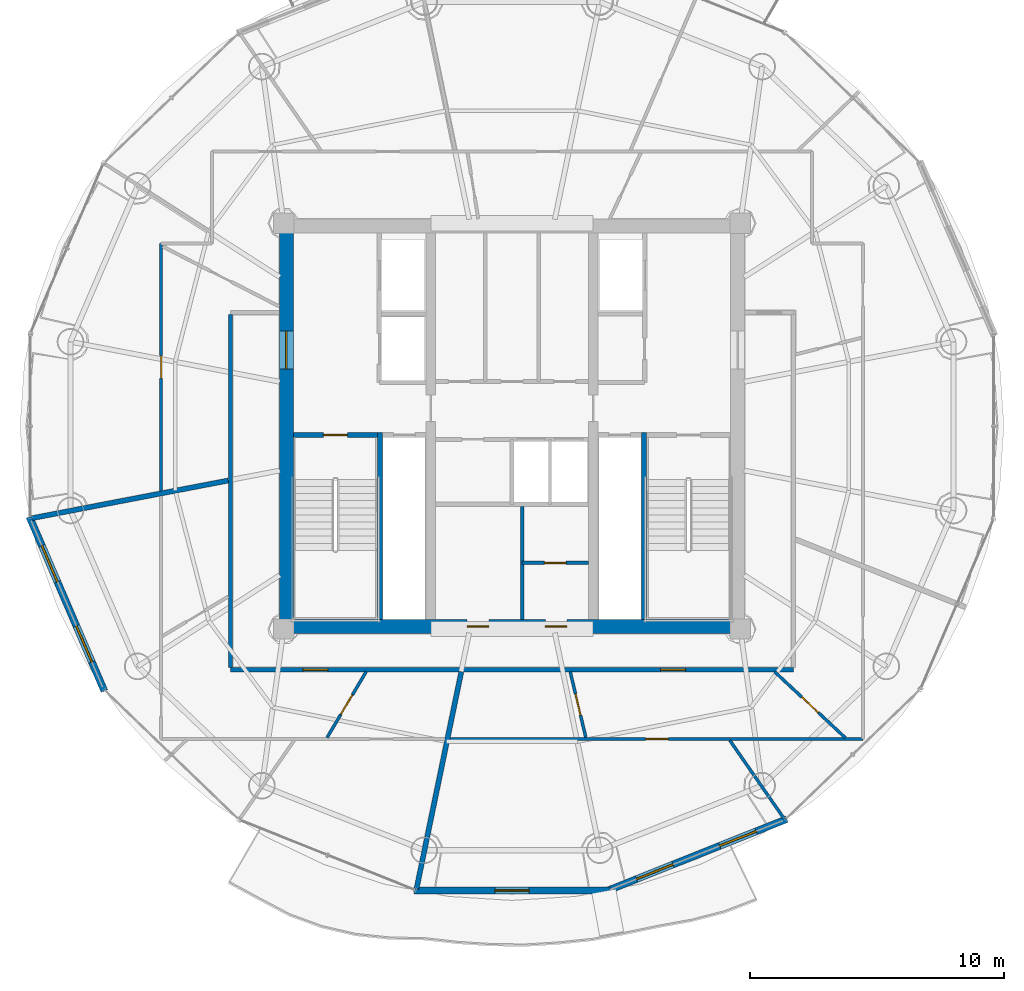
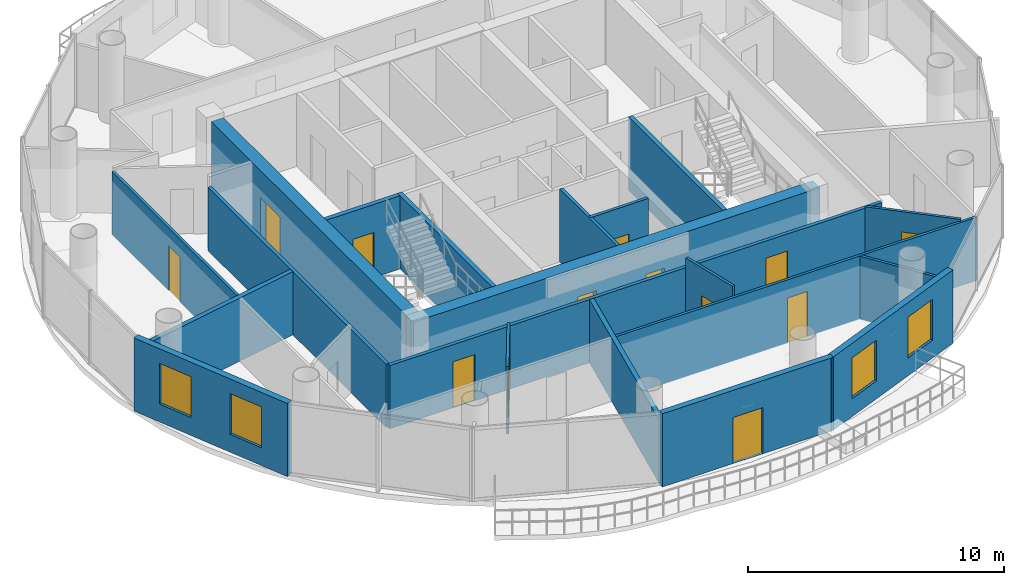
# One storey, part 17 of 23: 20 walls, 13 doors, 4 windows, 17 openings.
"""IFC4 building model written with IfcOpenShell, lengths in metres."""

from ifc_helpers import new_model, si_unit, direction, frame, frame_2d, origin, place, context, subcontext, project, spatial, rectangle, extrude, source, transform, mapped, material, layer, layer_set, type_object, element, fill, save


model = new_model("IFC4")

# Units and contexts
model_context = context("Model", 3, precision=1e-05, world=origin(), true_north=direction((-0.2419218956, 0.970295726276)))
body_context = subcontext(model_context, "Body", "Model", "MODEL_VIEW")
ifc_project = project(units=[si_unit("LENGTHUNIT", "METRE"), si_unit("AREAUNIT", "SQUARE_METRE"), si_unit("VOLUMEUNIT", "CUBIC_METRE"), si_unit("PLANEANGLEUNIT", "RADIAN"), si_unit("MASSUNIT", "GRAM", prefix="KILO")], contexts=[model_context])

# Site, building, storey
site_placement = place(None, origin())
site = spatial("IfcSite", under=ifc_project, at=site_placement, CompositionType="ELEMENT")
building_placement = place(site_placement, origin())
building = spatial("IfcBuilding", under=site, at=building_placement, Name="Cobrevalo Terracotta Tower", CompositionType="ELEMENT")
storey_placement = place(building_placement, frame((0.0, 0.0, 251.949951171875)))
storey = spatial("IfcBuildingStorey", under=building, at=storey_placement, Name="L66", CompositionType="ELEMENT", Elevation=251.949951171875)

# Wall, openings, doors
ifc_material_1 = material(Name="Concrete C50", Category="concrete")
ifc_layer_1 = layer(ifc_material_1, 0.550048828125)
ifc_layer_set_1 = layer_set([ifc_layer_1], Name="Concrete C50")
wall_type_1 = type_object("IfcWallType", Name="Core shear wall 550 mm Concrete C50", PredefinedType="SHEAR", material=ifc_layer_set_1)
wall_1_placement = place(storey_placement, frame((28.824951171875, 18.89990234375, 0.0), z_axis=(0.0, 0.0, 1.0), x_axis=(1.0, 0.0, 0.0)))
wall_1 = element("IfcWall", 1, at=wall_1_placement, inside=storey, type_object=wall_type_1, Name="L66 south core shear wall", PredefinedType="SHEAR", context=body_context, shape_type="SweptSolid", body=[
    extrude(rectangle(XDim=18.35009765625, YDim=0.550048828125, at=frame_2d((9.175048828125, 0.0))), origin(), (0.0, 0.0, 1.0), 3.489990234375),
])
opening_1_placement = place(wall_1_placement, frame((7.409912109375, 0.0, 0.0)))
opening_1 = element("IfcOpeningElement", 2, at=opening_1_placement, cuts=wall_1, Name="Opening ID-22", PredefinedType="OPENING", context=body_context, shape_type="SweptSolid", body=[
    extrude(rectangle(XDim=0.85009765625, YDim=2.10009765625, at=frame_2d((0.425048828125, 1.050048828125))), frame((0.0, 0.28515625, 0.0), z_axis=(0.0, -1.0, 0.0), x_axis=(1.0, 0.0, 0.0)), (0.0, 0.0, 1.0), 0.570068359375),
])
opening_2_placement = place(wall_1_placement, frame((10.489990234375, 0.0, 0.0)))
opening_2 = element("IfcOpeningElement", 3, at=opening_2_placement, cuts=wall_1, Name="Opening ID-22", PredefinedType="OPENING", context=body_context, shape_type="SweptSolid", body=[
    extrude(rectangle(XDim=0.85009765625, YDim=2.10009765625, at=frame_2d((0.425048828125, 1.050048828125))), frame((0.0, 0.28515625, 0.0), z_axis=(0.0, -1.0, 0.0), x_axis=(1.0, 0.0, 0.0)), (0.0, 0.0, 1.0), 0.570068359375),
])
ifc_material_2 = material(Name="Powder-coated steel", Category="steel")
door_type_1 = type_object("IfcDoorType", Name="Riser shaft & meter closet fire access door 850x2100 EI 60", OperationType="NOTDEFINED", PredefinedType="DOOR", material=ifc_material_2)
shared_shape_1 = source(origin(), body_context, "Body", "SweptSolid", [
    extrude(rectangle(XDim=0.85009765625, YDim=2.10009765625, at=frame_2d((0.425048828125, 1.050048828125))), frame((0.0, 0.02490234375, 0.0), z_axis=(0.0, -1.0, 0.0), x_axis=(1.0, 0.0, 0.0)), (0.0, 0.0, 1.0), 0.050048828125),
])
door_1_placement = place(opening_1_placement, origin())
door_1 = element("IfcDoor", 4, at=door_1_placement, inside=storey, type_object=door_type_1, Name="L66 core south plant door Floor AHU Mechanical Plant", OperationType="SINGLE_SWING_RIGHT", OverallHeight=2.10009765625, OverallWidth=0.85009765625, PredefinedType="DOOR", context=body_context, shape_type="MappedRepresentation", body=[
    mapped(shared_shape_1, transform((0.0, 0.0, 0.0), scale=1.0)),
])
fill(opening_1, door_1)
door_2_placement = place(opening_2_placement, origin())
door_2 = element("IfcDoor", 5, at=door_2_placement, inside=storey, type_object=door_type_1, Name="L66 core south plant door Sprinkler Valve Plant", OperationType="SINGLE_SWING_RIGHT", OverallHeight=2.10009765625, OverallWidth=0.85009765625, PredefinedType="DOOR", context=body_context, shape_type="MappedRepresentation", body=[
    mapped(shared_shape_1, transform((0.0, 0.0, 0.0), scale=1.0)),
])
fill(opening_2, door_2)

# Wall, opening, door
wall_2_placement = place(storey_placement, frame((29.10009765625, 19.175048828125, 0.0), z_axis=(0.0, 0.0, 1.0), x_axis=(0.0, 1.0, 0.0)))
wall_2 = element("IfcWall", 6, at=wall_2_placement, inside=storey, type_object=wall_type_1, Name="L66 west core shear wall", PredefinedType="SHEAR", context=body_context, shape_type="SweptSolid", body=[
    extrude(rectangle(XDim=15.25, YDim=0.550048828125, at=frame_2d((7.625, 0.0))), origin(), (0.0, 0.0, 1.0), 3.489990234375),
])
opening_3_placement = place(wall_2_placement, frame((9.875, 0.0, 0.0)))
opening_3 = element("IfcOpeningElement", 7, at=opening_3_placement, cuts=wall_2, Name="Opening ID-14", PredefinedType="OPENING", context=body_context, shape_type="SweptSolid", body=[
    extrude(rectangle(XDim=1.5, YDim=2.199951171875, at=frame_2d((0.75, 1.10009765625))), frame((0.0, 0.28515625, 0.0), z_axis=(0.0, -1.0, 0.0), x_axis=(1.0, 0.0, 0.0)), (0.0, 0.0, 1.0), 0.570068359375),
])
ifc_material_3 = material(Name="Galvanized fire-rated steel", Category="steel")
door_type_2 = type_object("IfcDoorType", Name="Core cross-lobby double fire door 1500x2200 EI 90", OperationType="NOTDEFINED", PredefinedType="DOOR", material=ifc_material_3)
shared_shape_2 = source(origin(), body_context, "Body", "SweptSolid", [
    extrude(rectangle(XDim=1.5, YDim=2.199951171875, at=frame_2d((0.75, 1.10009765625))), frame((0.0, 0.02490234375, 0.0), z_axis=(0.0, -1.0, 0.0), x_axis=(1.0, 0.0, 0.0)), (0.0, 0.0, 1.0), 0.050048828125),
])
door_3_placement = place(opening_3_placement, origin())
door_3 = element("IfcDoor", 8, at=door_3_placement, inside=storey, type_object=door_type_2, Name="L66 west firefighting lobby entrance door", OperationType="DOUBLE_DOOR_SINGLE_SWING", OverallHeight=2.199951171875, OverallWidth=1.5, PredefinedType="DOOR", context=body_context, shape_type="MappedRepresentation", body=[
    mapped(shared_shape_2, transform((0.0, 0.0, 0.0), scale=1.0)),
])
fill(opening_3, door_3)

# Wall, openings, doors
ifc_material_4 = material(Name="Gypsum board on steel stud", Category="steel")
ifc_layer_2 = layer(ifc_material_4, 0.159912109375)
ifc_layer_set_2 = layer_set([ifc_layer_2], Name="Gypsum board on steel stud")
wall_type_2 = type_object("IfcWallType", Name="Fire-rated corridor acoustic partition wall 160 mm", PredefinedType="PARTITIONING", material=ifc_layer_set_2)
wall_3_placement = place(storey_placement, frame((26.89501953125, 17.195068359375, 0.0), z_axis=(0.0, 0.0, 1.0), x_axis=(1.0, 0.0, 0.0)))
wall_3 = element("IfcWall", 9, at=wall_3_placement, inside=storey, type_object=wall_type_2, Name="L66 interior partition IW-L66-COR-S", PredefinedType="PARTITIONING", context=body_context, shape_type="SweptSolid", body=[
    extrude(rectangle(XDim=22.2099609375, YDim=0.159912109375, at=frame_2d((11.10498046875, 0.0))), origin(), (0.0, 0.0, 1.0), 3.01513671875),
])
opening_4_placement = place(wall_3_placement, frame((2.86083984375, 0.0, 0.0)))
opening_4 = element("IfcOpeningElement", 10, at=opening_4_placement, cuts=wall_3, Name="Opening ID-05", PredefinedType="OPENING", context=body_context, shape_type="SweptSolid", body=[
    extrude(rectangle(XDim=0.97998046875, YDim=2.199951171875, at=frame_2d((0.489990234375, 1.10009765625))), frame((0.0, 0.08984375, 0.0), z_axis=(0.0, -1.0, 0.0), x_axis=(1.0, 0.0, 0.0)), (0.0, 0.0, 1.0), 0.179931640625),
])
opening_5_placement = place(wall_3_placement, frame((16.97021484375, 0.0, 0.0)))
opening_5 = element("IfcOpeningElement", 11, at=opening_5_placement, cuts=wall_3, Name="Opening ID-05", PredefinedType="OPENING", context=body_context, shape_type="SweptSolid", body=[
    extrude(rectangle(XDim=0.97998046875, YDim=2.199951171875, at=frame_2d((0.489990234375, 1.10009765625))), frame((0.0, 0.08984375, 0.0), z_axis=(0.0, -1.0, 0.0), x_axis=(1.0, 0.0, 0.0)), (0.0, 0.0, 1.0), 0.179931640625),
])
ifc_material_5 = material(Name="Solid hardwood timber", Category="wood")
door_type_3 = type_object("IfcDoorType", Name="Residence entrance fire-rated acoustic timber door 980x2200 EI 60", OperationType="NOTDEFINED", PredefinedType="DOOR", material=ifc_material_5)
shared_shape_3 = source(origin(), body_context, "Body", "SweptSolid", [
    extrude(rectangle(XDim=0.97998046875, YDim=2.199951171875, at=frame_2d((0.489990234375, 1.10009765625))), frame((0.0, 0.02490234375, 0.0), z_axis=(0.0, -1.0, 0.0), x_axis=(1.0, 0.0, 0.0)), (0.0, 0.0, 1.0), 0.050048828125),
])
door_4_placement = place(opening_4_placement, origin())
door_4 = element("IfcDoor", 12, at=door_4_placement, inside=storey, type_object=door_type_3, Name="Flat L66B fire-rated apartment entrance door", OperationType="SINGLE_SWING_LEFT", OverallHeight=2.199951171875, OverallWidth=0.97998046875, PredefinedType="DOOR", context=body_context, shape_type="MappedRepresentation", body=[
    mapped(shared_shape_3, transform((0.0, 0.0, 0.0), scale=1.0)),
])
fill(opening_4, door_4)
door_5_placement = place(opening_5_placement, frame((0.97998046875, 0.0, 0.0), z_axis=(0.0, 0.0, 1.0), x_axis=(-1.0, 0.0, 0.0)))
door_5 = element("IfcDoor", 13, at=door_5_placement, inside=storey, type_object=door_type_3, Name="Flat L66C fire-rated apartment entrance door", OperationType="SINGLE_SWING_RIGHT", OverallHeight=2.199951171875, OverallWidth=0.97998046875, PredefinedType="DOOR", context=body_context, shape_type="MappedRepresentation", body=[
    mapped(shared_shape_3, transform((0.0, 0.0, 0.0), scale=1.0)),
])
fill(opening_5, door_5)

# Walls
wall_4_placement = place(storey_placement, frame((26.89501953125, 17.27490234375, 0.0), z_axis=(0.0, 0.0, 1.0), x_axis=(0.0, 1.0, 0.0)))
element("IfcWall", 14, at=wall_4_placement, inside=storey, type_object=wall_type_2, Name="L66 interior partition IW-L66-COR-W", PredefinedType="PARTITIONING", context=body_context, shape_type="SweptSolid", body=[
    extrude(rectangle(XDim=13.925048828125, YDim=0.159912109375, at=frame_2d((6.96240234375, 0.0))), origin(), (0.0, 0.0, 1.0), 3.01513671875),
])
ifc_material_6 = material(Name="Autoclaved aerated concrete block", Category="concrete")
ifc_layer_3 = layer(ifc_material_6, 0.199951171875)
ifc_layer_set_3 = layer_set([ifc_layer_3], Name="Autoclaved aerated concrete block")
wall_type_3 = type_object("IfcWallType", Name="Fire-rated stair, shaft & demising masonry wall 200 mm", PredefinedType="PARTITIONING", material=ifc_layer_set_3)
wall_5_placement = place(storey_placement, frame((26.81494140625, 24.655517578125, 0.0), z_axis=(0.0, 0.0, 1.0), x_axis=(-0.982109889803, -0.188308694305, 0.0)))
element("IfcWall", 15, at=wall_5_placement, inside=storey, type_object=wall_type_3, Name="L66 interior partition IW-L66-DEM-2", PredefinedType="PARTITIONING", context=body_context, shape_type="SweptSolid", body=[
    extrude(rectangle(XDim=7.884033203125, YDim=0.199951171875, at=frame_2d((3.94189453125, 0.0))), origin(), (0.0, 0.0, 1.0), 3.01513671875),
])
wall_6_placement = place(storey_placement, frame((36.00146484375, 17.114990234375, 0.0), z_axis=(0.0, 0.0, 1.0), x_axis=(-0.202108543081, -0.979363128167, 0.0)))
element("IfcWall", 16, at=wall_6_placement, inside=storey, type_object=wall_type_3, Name="L66 interior partition IW-L66-DEM-3", PredefinedType="PARTITIONING", context=body_context, shape_type="SweptSolid", body=[
    extrude(rectangle(XDim=8.738525390625, YDim=0.199951171875, at=frame_2d((4.369140625, 0.0))), origin(), (0.0, 0.0, 1.0), 3.01513671875),
])

# Wall, openings, windows
ifc_layer_4 = layer(ifc_material_6, 0.280029296875)
ifc_layer_set_4 = layer_set([ifc_layer_4], Name="Autoclaved aerated concrete block")
wall_type_4 = type_object("IfcWallType", Name="Insulated tower spandrel & pier wall 280 mm with terracotta rainscreen", PredefinedType="SOLIDWALL", material=ifc_layer_set_4)
wall_7_placement = place(storey_placement, frame((18.970703125, 23.231201171875, 0.0), z_axis=(0.0, 0.0, 1.0), x_axis=(0.394816612978, -0.918759948037, 0.0)))
wall_7 = element("IfcWall", 17, at=wall_7_placement, inside=storey, type_object=wall_type_4, Name="L66 terracotta rainscreen pier wall S09", PredefinedType="SOLIDWALL", context=body_context, shape_type="SweptSolid", body=[
    extrude(rectangle(XDim=7.4853515625, YDim=0.280029296875, at=frame_2d((3.74267578125, 0.0))), origin(), (0.0, 0.0, 1.0), 3.489990234375),
])
opening_6_placement = place(wall_7_placement, frame((1.24609375, 0.0, 0.85009765625)))
opening_6 = element("IfcOpeningElement", 18, at=opening_6_placement, cuts=wall_7, Name="Opening WN-12", PredefinedType="OPENING", context=body_context, shape_type="SweptSolid", body=[
    extrude(rectangle(XDim=1.550048828125, YDim=1.949951171875, at=frame_2d((0.77490234375, 0.97509765625))), frame((0.0, 0.14990234375, 0.0), z_axis=(0.0, -1.0, 0.0), x_axis=(1.0, 0.0, 0.0)), (0.0, 0.0, 1.0), 0.300048828125),
])
opening_7_placement = place(wall_7_placement, frame((4.689208984375, 0.0, 0.85009765625)))
opening_7 = element("IfcOpeningElement", 19, at=opening_7_placement, cuts=wall_7, Name="Opening WN-12", PredefinedType="OPENING", context=body_context, shape_type="SweptSolid", body=[
    extrude(rectangle(XDim=1.550048828125, YDim=1.949951171875, at=frame_2d((0.77490234375, 0.97509765625))), frame((0.0, 0.14990234375, 0.0), z_axis=(0.0, -1.0, 0.0), x_axis=(1.0, 0.0, 0.0)), (0.0, 0.0, 1.0), 0.300048828125),
])
ifc_material_7 = material(Name="Solar-control low-E double glazing", Category="glass")
window_type = type_object("IfcWindowType", Name="Solar-control low-E aluminium window 1550x1950", PartitioningType="SINGLE_PANEL", PredefinedType="WINDOW", material=ifc_material_7)
shared_shape_4 = source(origin(), body_context, "Body", "SweptSolid", [
    extrude(rectangle(XDim=1.550048828125, YDim=1.949951171875, at=frame_2d((0.77490234375, 0.97509765625))), frame((0.0, 0.030029296875, 0.0), z_axis=(0.0, -1.0, 0.0), x_axis=(1.0, 0.0, 0.0)), (0.0, 0.0, 1.0), 0.06005859375),
])
window_1_placement = place(opening_6_placement, origin())
window_1 = element("IfcWindow", 20, at=window_1_placement, inside=storey, type_object=window_type, Name="L66 suite window S09A", OverallHeight=1.949951171875, OverallWidth=1.550048828125, PartitioningType="SINGLE_PANEL", PredefinedType="WINDOW", context=body_context, shape_type="MappedRepresentation", body=[
    mapped(shared_shape_4, transform((0.0, 0.0, 0.0), scale=1.0)),
])
fill(opening_6, window_1)
window_2_placement = place(opening_7_placement, origin())
window_2 = element("IfcWindow", 21, at=window_2_placement, inside=storey, type_object=window_type, Name="L66 suite window S09B", OverallHeight=1.949951171875, OverallWidth=1.550048828125, PartitioningType="SINGLE_PANEL", PredefinedType="WINDOW", context=body_context, shape_type="MappedRepresentation", body=[
    mapped(shared_shape_4, transform((0.0, 0.0, 0.0), scale=1.0)),
])
fill(opening_7, window_2)

wall_8_placement = place(storey_placement, frame((41.70458984375, 8.458984375, 0.0), z_axis=(0.0, 0.0, 1.0), x_axis=(0.92871332341, 0.370798547626, 0.0)))
wall_8 = element("IfcWall", 22, at=wall_8_placement, inside=storey, type_object=wall_type_4, Name="L66 terracotta rainscreen pier wall S13", PredefinedType="SOLIDWALL", context=body_context, shape_type="SweptSolid", body=[
    extrude(rectangle(XDim=7.678466796875, YDim=0.280029296875, at=frame_2d((3.83935546875, 0.0))), origin(), (0.0, 0.0, 1.0), 3.489990234375),
])
opening_8_placement = place(wall_8_placement, frame((1.298095703125, 0.0, 0.85009765625)))
opening_8 = element("IfcOpeningElement", 23, at=opening_8_placement, cuts=wall_8, Name="Opening WN-12", PredefinedType="OPENING", context=body_context, shape_type="SweptSolid", body=[
    extrude(rectangle(XDim=1.550048828125, YDim=1.949951171875, at=frame_2d((0.77490234375, 0.97509765625))), frame((0.0, 0.14990234375, 0.0), z_axis=(0.0, -1.0, 0.0), x_axis=(1.0, 0.0, 0.0)), (0.0, 0.0, 1.0), 0.300048828125),
])
opening_9_placement = place(wall_8_placement, frame((4.830078125, 0.0, 0.85009765625)))
opening_9 = element("IfcOpeningElement", 24, at=opening_9_placement, cuts=wall_8, Name="Opening WN-12", PredefinedType="OPENING", context=body_context, shape_type="SweptSolid", body=[
    extrude(rectangle(XDim=1.550048828125, YDim=1.949951171875, at=frame_2d((0.77490234375, 0.97509765625))), frame((0.0, 0.14990234375, 0.0), z_axis=(0.0, -1.0, 0.0), x_axis=(1.0, 0.0, 0.0)), (0.0, 0.0, 1.0), 0.300048828125),
])
window_3_placement = place(opening_8_placement, origin())
window_3 = element("IfcWindow", 25, at=window_3_placement, inside=storey, type_object=window_type, Name="L66 suite window S13A", OverallHeight=1.949951171875, OverallWidth=1.550048828125, PartitioningType="SINGLE_PANEL", PredefinedType="WINDOW", context=body_context, shape_type="MappedRepresentation", body=[
    mapped(shared_shape_4, transform((0.0, 0.0, 0.0), scale=1.0)),
])
fill(opening_8, window_3)
window_4_placement = place(opening_9_placement, origin())
window_4 = element("IfcWindow", 26, at=window_4_placement, inside=storey, type_object=window_type, Name="L66 suite window S13B", OverallHeight=1.949951171875, OverallWidth=1.550048828125, PartitioningType="SINGLE_PANEL", PredefinedType="WINDOW", context=body_context, shape_type="MappedRepresentation", body=[
    mapped(shared_shape_4, transform((0.0, 0.0, 0.0), scale=1.0)),
])
fill(opening_9, window_4)

# Wall
ifc_layer_5 = layer(ifc_material_6, 0.139892578125)
ifc_layer_set_5 = layer_set([ifc_layer_5], Name="Autoclaved aerated concrete block")
wall_type_5 = type_object("IfcWallType", Name="Moisture-resistant wet-room & core service partition 140 mm", PredefinedType="PARTITIONING", material=ifc_layer_set_5)
wall_9_placement = place(storey_placement, frame((38.39990234375, 19.175048828125, 0.0), z_axis=(0.0, 0.0, 1.0), x_axis=(0.0, 1.0, 0.0)))
element("IfcWall", 27, at=wall_9_placement, inside=storey, type_object=wall_type_5, Name="L66 interior partition IW-L66-KVS-L1", PredefinedType="PARTITIONING", context=body_context, shape_type="SweptSolid", body=[
    extrude(rectangle(XDim=4.46484375, YDim=0.139892578125, at=frame_2d((2.232421875, 0.0))), origin(), (0.0, 0.0, 1.0), 3.489990234375),
])

# Wall, opening, door
wall_10_placement = place(storey_placement, frame((38.39990234375, 21.407470703125, 0.0), z_axis=(0.0, 0.0, 1.0), x_axis=(1.0, 0.0, 0.0)))
wall_10 = element("IfcWall", 28, at=wall_10_placement, inside=storey, type_object=wall_type_5, Name="L66 interior partition IW-L66-KVS-L2", PredefinedType="PARTITIONING", context=body_context, shape_type="SweptSolid", body=[
    extrude(rectangle(XDim=2.610107421875, YDim=0.139892578125, at=frame_2d((1.30517578125, 0.0))), origin(), (0.0, 0.0, 1.0), 3.489990234375),
])
opening_10_placement = place(wall_10_placement, frame((0.8798828125, 0.0, 0.0)))
opening_10 = element("IfcOpeningElement", 29, at=opening_10_placement, cuts=wall_10, Name="Opening ID-22", PredefinedType="OPENING", context=body_context, shape_type="SweptSolid", body=[
    extrude(rectangle(XDim=0.85009765625, YDim=2.10009765625, at=frame_2d((0.425048828125, 1.050048828125))), frame((0.0, 0.080078125, 0.0), z_axis=(0.0, -1.0, 0.0), x_axis=(1.0, 0.0, 0.0)), (0.0, 0.0, 1.0), 0.159912109375),
])
door_6_placement = place(opening_10_placement, origin())
door_6 = element("IfcDoor", 30, at=door_6_placement, inside=storey, type_object=door_type_1, Name="L66 core KVS-L2 inner door", OperationType="SINGLE_SWING_LEFT", OverallHeight=2.10009765625, OverallWidth=0.85009765625, PredefinedType="DOOR", context=body_context, shape_type="MappedRepresentation", body=[
    mapped(shared_shape_1, transform((0.0, 0.0, 0.0), scale=1.0)),
])
fill(opening_10, door_6)

ifc_layer_6 = layer(ifc_material_6, 0.260009765625)
ifc_layer_set_6 = layer_set([ifc_layer_6], Name="Autoclaved aerated concrete block")
wall_type_6 = type_object("IfcWallType", Name="Recessed balcony loggia insulated exterior wall 260 mm", PredefinedType="SOLIDWALL", material=ifc_layer_set_6)
wall_11_placement = place(storey_placement, frame((34.14111328125, 8.48876953125, 0.0), z_axis=(0.0, 0.0, 1.0), x_axis=(1.0, 0.0, 0.0)))
wall_11 = element("IfcWall", 31, at=wall_11_placement, inside=storey, type_object=wall_type_6, Name="L66 balcony loggia wall S12", PredefinedType="SOLIDWALL", context=body_context, shape_type="SweptSolid", body=[
    extrude(rectangle(XDim=7.7177734375, YDim=0.260009765625, at=frame_2d((3.85888671875, 0.0))), origin(), (0.0, 0.0, 1.0), 3.489990234375),
])
opening_11_placement = place(wall_11_placement, frame((3.183837890625, 0.0, 0.0)))
opening_11 = element("IfcOpeningElement", 32, at=opening_11_placement, cuts=wall_11, Name="Opening ED-05", PredefinedType="OPENING", context=body_context, shape_type="SweptSolid", body=[
    extrude(rectangle(XDim=1.35009765625, YDim=2.199951171875, at=frame_2d((0.675048828125, 1.10009765625))), frame((0.0, 0.14013671875, 0.0), z_axis=(0.0, -1.0, 0.0), x_axis=(1.0, 0.0, 0.0)), (0.0, 0.0, 1.0), 0.280029296875),
])
ifc_material_8 = material(Name="Anodized aluminium and laminated glass", Category="aluminium")
door_type_4 = type_object("IfcDoorType", Name="Suite balcony acoustic glazed terrace door 1350x2200", OperationType="NOTDEFINED", PredefinedType="DOOR", material=ifc_material_8)
shared_shape_5 = source(origin(), body_context, "Body", "SweptSolid", [
    extrude(rectangle(XDim=1.35009765625, YDim=2.199951171875, at=frame_2d((0.675048828125, 1.10009765625))), frame((0.0, 0.02490234375, 0.0), z_axis=(0.0, -1.0, 0.0), x_axis=(1.0, 0.0, 0.0)), (0.0, 0.0, 1.0), 0.050048828125),
])
door_7_placement = place(opening_11_placement, frame((1.35009765625, 0.0, 0.0), z_axis=(0.0, 0.0, 1.0), x_axis=(-1.0, 0.0, 0.0)))
door_7 = element("IfcDoor", 33, at=door_7_placement, inside=storey, type_object=door_type_4, Name="L66 glazed balcony terrace door 2", OperationType="SINGLE_SWING_RIGHT", OverallHeight=2.199951171875, OverallWidth=1.35009765625, PredefinedType="DOOR", context=body_context, shape_type="MappedRepresentation", body=[
    mapped(shared_shape_5, transform((0.0, 0.0, 0.0), scale=1.0)),
])
fill(opening_11, door_7)

ifc_layer_7 = layer(ifc_material_4, 0.1201171875)
ifc_layer_set_7 = layer_set([ifc_layer_7], Name="Gypsum board on steel stud")
wall_type_7 = type_object("IfcWallType", Name="Residential internal acoustic stud partition 120 mm", PredefinedType="PARTITIONING", material=ifc_layer_set_7)
wall_12_placement = place(storey_placement, frame((24.1650390625, 24.249267578125, 0.0), z_axis=(0.0, 0.0, 1.0), x_axis=(0.0, 1.0, 0.0)))
wall_12 = element("IfcWall", 34, at=wall_12_placement, inside=storey, type_object=wall_type_7, Name="L66 interior partition IW-L66-U1-RING0_0", PredefinedType="PARTITIONING", context=body_context, shape_type="SweptSolid", body=[
    extrude(rectangle(XDim=9.7607421875, YDim=0.1201171875, at=frame_2d((4.88037109375, 0.0))), origin(), (0.0, 0.0, 1.0), 3.01513671875),
])
opening_12_placement = place(wall_12_placement, frame((4.430419921875, 0.0, 0.0)))
opening_12 = element("IfcOpeningElement", 35, at=opening_12_placement, cuts=wall_12, Name="Opening ID-12", PredefinedType="OPENING", context=body_context, shape_type="SweptSolid", body=[
    extrude(rectangle(XDim=0.89990234375, YDim=2.14990234375, at=frame_2d((0.449951171875, 1.074951171875))), frame((0.0, 0.070068359375, 0.0), z_axis=(0.0, -1.0, 0.0), x_axis=(1.0, 0.0, 0.0)), (0.0, 0.0, 1.0), 0.14013671875),
])
ifc_material_9 = material(Name="Engineered timber", Category="wood")
door_type_5 = type_object("IfcDoorType", Name="Internal residence & suite timber door 900x2150", OperationType="NOTDEFINED", PredefinedType="DOOR", material=ifc_material_9)
shared_shape_6 = source(origin(), body_context, "Body", "SweptSolid", [
    extrude(rectangle(XDim=0.89990234375, YDim=2.14990234375, at=frame_2d((0.449951171875, 1.074951171875))), frame((0.0, 0.02490234375, 0.0), z_axis=(0.0, -1.0, 0.0), x_axis=(1.0, 0.0, 0.0)), (0.0, 0.0, 1.0), 0.050048828125),
])
door_8_placement = place(opening_12_placement, origin())
door_8 = element("IfcDoor", 36, at=door_8_placement, inside=storey, type_object=door_type_5, Name="Flat L66A Private Cinema Room internal door", OperationType="SINGLE_SWING_RIGHT", OverallHeight=2.14990234375, OverallWidth=0.89990234375, PredefinedType="DOOR", context=body_context, shape_type="MappedRepresentation", body=[
    mapped(shared_shape_6, transform((0.0, 0.0, 0.0), scale=1.0)),
])
fill(opening_12, door_8)

wall_13_placement = place(storey_placement, frame((32.248291015625, 17.114990234375, 0.0), z_axis=(0.0, 0.0, 1.0), x_axis=(-0.510591051721, -0.85982369001, 0.0)))
wall_13 = element("IfcWall", 37, at=wall_13_placement, inside=storey, type_object=wall_type_7, Name="L66 interior partition IW-L66-U2-IRAD2", PredefinedType="PARTITIONING", context=body_context, shape_type="SweptSolid", body=[
    extrude(rectangle(XDim=3.02001953125, YDim=0.1201171875, at=frame_2d((1.510009765625, 0.0))), origin(), (0.0, 0.0, 1.0), 3.208984375),
])
opening_13_placement = place(wall_13_placement, frame((1.06005859375, 0.0, 0.0)))
opening_13 = element("IfcOpeningElement", 38, at=opening_13_placement, cuts=wall_13, Name="Opening ID-12", PredefinedType="OPENING", context=body_context, shape_type="SweptSolid", body=[
    extrude(rectangle(XDim=0.89990234375, YDim=2.14990234375, at=frame_2d((0.449951171875, 1.074951171875))), frame((0.0, 0.070068359375, 0.0), z_axis=(0.0, -1.0, 0.0), x_axis=(1.0, 0.0, 0.0)), (0.0, 0.0, 1.0), 0.14013671875),
])
door_9_placement = place(opening_13_placement, origin())
door_9 = element("IfcDoor", 39, at=door_9_placement, inside=storey, type_object=door_type_5, Name="Flat L66B Kitchen internal door", OperationType="SINGLE_SWING_RIGHT", OverallHeight=2.14990234375, OverallWidth=0.89990234375, PredefinedType="DOOR", context=body_context, shape_type="MappedRepresentation", body=[
    mapped(shared_shape_6, transform((0.0, 0.0, 0.0), scale=1.0)),
])
fill(opening_13, door_9)

wall_14_placement = place(storey_placement, frame((51.8349609375, 14.465087890625, 0.0), z_axis=(0.0, 0.0, 1.0), x_axis=(-1.0, 0.0, 0.0)))
wall_14 = element("IfcWall", 40, at=wall_14_placement, inside=storey, type_object=wall_type_7, Name="L66 interior partition IW-L66-U3-RING1_0", PredefinedType="PARTITIONING", context=body_context, shape_type="SweptSolid", body=[
    extrude(rectangle(XDim=16.2783203125, YDim=0.1201171875, at=frame_2d((8.13916015625, 0.0))), origin(), (0.0, 0.0, 1.0), 3.01513671875),
])
opening_14_placement = place(wall_14_placement, frame((7.664794921875, 0.0, 0.0)))
opening_14 = element("IfcOpeningElement", 41, at=opening_14_placement, cuts=wall_14, Name="Opening ID-12", PredefinedType="OPENING", context=body_context, shape_type="SweptSolid", body=[
    extrude(rectangle(XDim=0.89990234375, YDim=2.14990234375, at=frame_2d((0.449951171875, 1.074951171875))), frame((0.0, 0.070068359375, 0.0), z_axis=(0.0, -1.0, 0.0), x_axis=(1.0, 0.0, 0.0)), (0.0, 0.0, 1.0), 0.14013671875),
])
door_10_placement = place(opening_14_placement, origin())
door_10 = element("IfcDoor", 42, at=door_10_placement, inside=storey, type_object=door_type_5, Name="Flat L66C Living and Dining Room internal door", OperationType="SINGLE_SWING_RIGHT", OverallHeight=2.14990234375, OverallWidth=0.89990234375, PredefinedType="DOOR", context=body_context, shape_type="MappedRepresentation", body=[
    mapped(shared_shape_6, transform((0.0, 0.0, 0.0), scale=1.0)),
])
fill(opening_14, door_10)

# Wall
wall_15_placement = place(storey_placement, frame((46.5859375, 14.4140625, 0.0), z_axis=(0.0, 0.0, 1.0), x_axis=(0.569657021681, -0.821882520589, 0.0)))
element("IfcWall", 43, at=wall_15_placement, inside=storey, type_object=wall_type_7, Name="L66 interior partition IW-L66-U3-ORAD1", PredefinedType="PARTITIONING", context=body_context, shape_type="SweptSolid", body=[
    extrude(rectangle(XDim=3.747802734375, YDim=0.1201171875, at=frame_2d((1.8740234375, 0.0))), origin(), (0.0, 0.0, 1.0), 3.01513671875),
])

# Wall, opening, door
wall_16_placement = place(storey_placement, frame((40.29638671875, 17.114990234375, 0.0), z_axis=(0.0, 0.0, 1.0), x_axis=(0.230710960444, -0.973022328999, 0.0)))
wall_16 = element("IfcWall", 44, at=wall_16_placement, inside=storey, type_object=wall_type_7, Name="L66 interior partition IW-L66-U3-IRAD1", PredefinedType="PARTITIONING", context=body_context, shape_type="SweptSolid", body=[
    extrude(rectangle(XDim=2.661376953125, YDim=0.1201171875, at=frame_2d((1.33056640625, 0.0))), origin(), (0.0, 0.0, 1.0), 3.489990234375),
])
opening_15_placement = place(wall_16_placement, frame((0.900634765625, 0.0, 0.0)))
opening_15 = element("IfcOpeningElement", 45, at=opening_15_placement, cuts=wall_16, Name="Opening ID-19", PredefinedType="OPENING", context=body_context, shape_type="SweptSolid", body=[
    extrude(rectangle(XDim=0.860107421875, YDim=2.14990234375, at=frame_2d((0.43017578125, 1.074951171875))), frame((0.0, 0.070068359375, 0.0), z_axis=(0.0, -1.0, 0.0), x_axis=(1.0, 0.0, 0.0)), (0.0, 0.0, 1.0), 0.14013671875),
])
ifc_material_10 = material(Name="Moisture-sealed timber", Category="wood")
door_type_6 = type_object("IfcDoorType", Name="Suite bathroom internal timber door 860x2150", OperationType="NOTDEFINED", PredefinedType="DOOR", material=ifc_material_10)
shared_shape_7 = source(origin(), body_context, "Body", "SweptSolid", [
    extrude(rectangle(XDim=0.860107421875, YDim=2.14990234375, at=frame_2d((0.43017578125, 1.074951171875))), frame((0.0, 0.02490234375, 0.0), z_axis=(0.0, -1.0, 0.0), x_axis=(1.0, 0.0, 0.0)), (0.0, 0.0, 1.0), 0.050048828125),
])
door_11_placement = place(opening_15_placement, frame((0.860107421875, 0.0, 0.0), z_axis=(0.0, 0.0, 1.0), x_axis=(-1.0, 0.0, 0.0)))
door_11 = element("IfcDoor", 46, at=door_11_placement, inside=storey, type_object=door_type_6, Name="Flat L66C Primary Bathroom internal door", OperationType="SINGLE_SWING_LEFT", OverallHeight=2.14990234375, OverallWidth=0.860107421875, PredefinedType="DOOR", context=body_context, shape_type="MappedRepresentation", body=[
    mapped(shared_shape_7, transform((0.0, 0.0, 0.0), scale=1.0)),
])
fill(opening_15, door_11)

wall_17_placement = place(storey_placement, frame((48.35791015625, 17.114990234375, 0.0), z_axis=(0.0, 0.0, 1.0), x_axis=(0.730431927487, -0.682985504464, 0.0)))
wall_17 = element("IfcWall", 47, at=wall_17_placement, inside=storey, type_object=wall_type_7, Name="L66 interior partition IW-L66-U3-IRAD2", PredefinedType="PARTITIONING", context=body_context, shape_type="SweptSolid", body=[
    extrude(rectangle(XDim=3.818115234375, YDim=0.1201171875, at=frame_2d((1.9091796875, 0.0))), origin(), (0.0, 0.0, 1.0), 3.12109375),
])
opening_16_placement = place(wall_17_placement, frame((1.458984375, 0.0, 0.0)))
opening_16 = element("IfcOpeningElement", 48, at=opening_16_placement, cuts=wall_17, Name="Opening ID-12", PredefinedType="OPENING", context=body_context, shape_type="SweptSolid", body=[
    extrude(rectangle(XDim=0.89990234375, YDim=2.14990234375, at=frame_2d((0.449951171875, 1.074951171875))), frame((0.0, 0.070068359375, 0.0), z_axis=(0.0, -1.0, 0.0), x_axis=(1.0, 0.0, 0.0)), (0.0, 0.0, 1.0), 0.14013671875),
])
door_12_placement = place(opening_16_placement, origin())
door_12 = element("IfcDoor", 49, at=door_12_placement, inside=storey, type_object=door_type_5, Name="Flat L66C Kitchen internal door", OperationType="SINGLE_SWING_LEFT", OverallHeight=2.14990234375, OverallWidth=0.89990234375, PredefinedType="DOOR", context=body_context, shape_type="MappedRepresentation", body=[
    mapped(shared_shape_6, transform((0.0, 0.0, 0.0), scale=1.0)),
])
fill(opening_16, door_12)

# Wall
ifc_layer_8 = layer(ifc_material_1, 0.199951171875)
ifc_layer_set_8 = layer_set([ifc_layer_8], Name="Concrete C50")
wall_type_8 = type_object("IfcWallType", Name="Structural core & podium stair-shaft RC wall 200 mm Concrete C50", PredefinedType="SOLIDWALL", material=ifc_layer_set_8)
wall_18_placement = place(storey_placement, frame((32.794921875, 19.175048828125, 0.0), z_axis=(0.0, 0.0, 1.0), x_axis=(0.0, 1.0, 0.0)))
element("IfcWall", 50, at=wall_18_placement, inside=storey, type_object=wall_type_8, Name="L66 ST-1 east structural shaft wall", PredefinedType="SOLIDWALL", context=body_context, shape_type="SweptSolid", body=[
    extrude(rectangle(XDim=7.375, YDim=0.199951171875, at=frame_2d((3.6875, 0.0))), origin(), (0.0, 0.0, 1.0), 3.489990234375),
])

# Wall, opening, door
wall_19_placement = place(storey_placement, frame((29.375, 26.449951171875, 0.0), z_axis=(0.0, 0.0, 1.0), x_axis=(1.0, 0.0, 0.0)))
wall_19 = element("IfcWall", 51, at=wall_19_placement, inside=storey, type_object=wall_type_8, Name="L66 ST-1 north structural shaft wall", PredefinedType="SOLIDWALL", context=body_context, shape_type="SweptSolid", body=[
    extrude(rectangle(XDim=3.320068359375, YDim=0.199951171875, at=frame_2d((1.66015625, 0.0))), origin(), (0.0, 0.0, 1.0), 3.489990234375),
])
opening_17_placement = place(wall_19_placement, frame((1.18505859375, 0.0, 0.0)))
opening_17 = element("IfcOpeningElement", 52, at=opening_17_placement, cuts=wall_19, Name="Opening ID-04", PredefinedType="OPENING", context=body_context, shape_type="SweptSolid", body=[
    extrude(rectangle(XDim=0.949951171875, YDim=2.14990234375, at=frame_2d((0.47509765625, 1.074951171875))), frame((0.0, 0.10986328125, 0.0), z_axis=(0.0, -1.0, 0.0), x_axis=(1.0, 0.0, 0.0)), (0.0, 0.0, 1.0), 0.219970703125),
])
door_type_7 = type_object("IfcDoorType", Name="Stair & firefighting lobby fire door 950x2150 EI 90", OperationType="NOTDEFINED", PredefinedType="DOOR", material=ifc_material_3)
shared_shape_8 = source(origin(), body_context, "Body", "SweptSolid", [
    extrude(rectangle(XDim=0.949951171875, YDim=2.14990234375, at=frame_2d((0.47509765625, 1.074951171875))), frame((0.0, 0.02490234375, 0.0), z_axis=(0.0, -1.0, 0.0), x_axis=(1.0, 0.0, 0.0)), (0.0, 0.0, 1.0), 0.050048828125),
])
door_13_placement = place(opening_17_placement, origin())
door_13 = element("IfcDoor", 53, at=door_13_placement, inside=storey, type_object=door_type_7, Name="L66 protected stair ST1 fire door", OperationType="SINGLE_SWING_LEFT", OverallHeight=2.14990234375, OverallWidth=0.949951171875, PredefinedType="DOOR", context=body_context, shape_type="MappedRepresentation", body=[
    mapped(shared_shape_8, transform((0.0, 0.0, 0.0), scale=1.0)),
])
fill(opening_17, door_13)

# Wall
wall_20_placement = place(storey_placement, frame((43.205078125, 19.175048828125, 0.0), z_axis=(0.0, 0.0, 1.0), x_axis=(0.0, 1.0, 0.0)))
element("IfcWall", 54, at=wall_20_placement, inside=storey, type_object=wall_type_8, Name="L66 ST-2 west structural shaft wall", PredefinedType="SOLIDWALL", context=body_context, shape_type="SweptSolid", body=[
    extrude(rectangle(XDim=7.375, YDim=0.199951171875, at=frame_2d((3.6875, 0.0))), origin(), (0.0, 0.0, 1.0), 3.489990234375),
])

save(model, "model.ifc")
